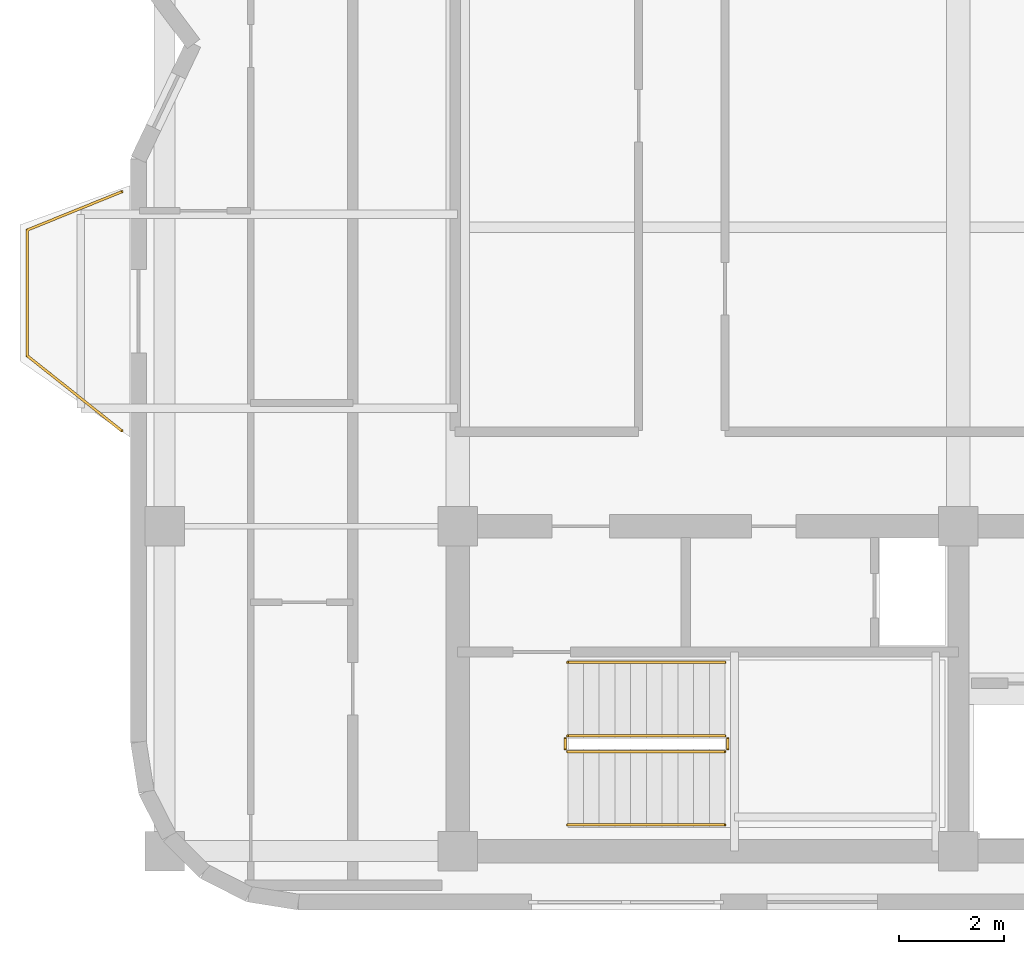
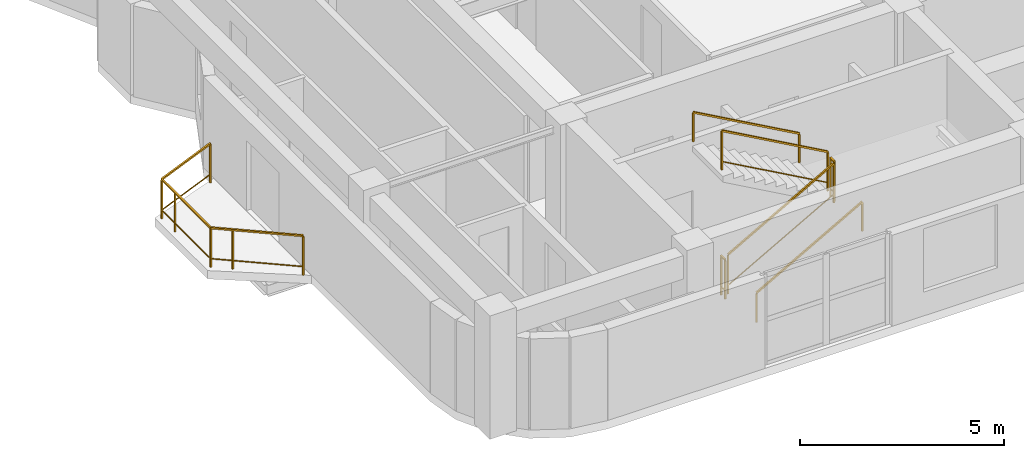
# One storey, part 10 of 11: 7 railings.
"""IFC4 building model written with IfcOpenShell, lengths in metres."""

from ifc_helpers import new_model, si_unit, direction, frame, origin, origin_2d, place, context, subcontext, project, spatial, rectangle, extrude, material, type_object, element, save


model = new_model("IFC4")

# Units and contexts
model_context = context("Model", 3, precision=1e-05, world=origin(), true_north=direction((0.0, 1.0)))
body_context = subcontext(model_context, "Body", "Model", "MODEL_VIEW")
ifc_project = project(units=[si_unit("LENGTHUNIT", "METRE"), si_unit("AREAUNIT", "SQUARE_METRE"), si_unit("VOLUMEUNIT", "CUBIC_METRE"), si_unit("PLANEANGLEUNIT", "RADIAN"), si_unit("MASSUNIT", "GRAM", prefix="KILO")], contexts=[model_context])

# Site, building, storey
site_placement = place(None, origin())
site = spatial("IfcSite", under=ifc_project, at=site_placement, CompositionType="ELEMENT")
building_placement = place(site_placement, origin())
building = spatial("IfcBuilding", under=site, at=building_placement, Name="Svetorya Sky Lyceum", CompositionType="ELEMENT")
storey_placement = place(building_placement, frame((0.0, 0.0, 275.0)))
storey = spatial("IfcBuildingStorey", under=building, at=storey_placement, Name="L69", CompositionType="ELEMENT", Elevation=275.0)

# Railings
ifc_material_1 = material(Name="Laminated safety glass and stainless AISI 316", Category="glass")
railing_type_1 = type_object("IfcRailingType", Name="RL-BAL-1200", PredefinedType="BALUSTRADE", material=ifc_material_1)
railing_1_placement = place(storey_placement, frame((19.18994140625, 18.6201171875, 0.0)))
element("IfcRailing", 1, at=railing_1_placement, inside=storey, type_object=railing_type_1, Name="L69 Balcony Balustrade BAL-W1", PredefinedType="BALUSTRADE", context=body_context, shape_type="SweptSolid", body=[
    extrude(rectangle(XDim=0.048095703125, YDim=0.048095703125, at=origin_2d()), frame((0.0, 0.0, 1.17578125), z_axis=(-0.783008919264, 0.622010476079, 0.0), x_axis=(-0.622010476079, -0.783008919264, 0.0)), (0.0, 0.0, 1.0), 2.298828125),
    extrude(rectangle(XDim=0.02392578125, YDim=0.02392578125, at=origin_2d()), frame((0.0, 0.0, 0.25), z_axis=(-0.783008919264, 0.622010476079, 0.0), x_axis=(-0.622010476079, -0.783008919264, 0.0)), (0.0, 0.0, 1.0), 2.298828125),
    extrude(rectangle(XDim=0.048095703125, YDim=0.048095703125, at=origin_2d()), frame((-1.800048828125, 1.429931640625, 1.17578125), z_axis=(0.0, 1.0, 0.0), x_axis=(-1.0, 0.0, 0.0)), (0.0, 0.0, 1.0), 2.39990234375),
    extrude(rectangle(XDim=0.02392578125, YDim=0.02392578125, at=origin_2d()), frame((-1.800048828125, 1.429931640625, 0.25), z_axis=(0.0, 1.0, 0.0), x_axis=(-1.0, 0.0, 0.0)), (0.0, 0.0, 1.0), 2.39990234375),
    extrude(rectangle(XDim=0.048095703125, YDim=0.048095703125, at=origin_2d()), frame((-1.800048828125, 3.829833984375, 1.17578125), z_axis=(0.926697865975, 0.375807218129, 0.0), x_axis=(-0.375807218129, 0.926697865975, 0.0)), (0.0, 0.0, 1.0), 1.9423828125),
    extrude(rectangle(XDim=0.02392578125, YDim=0.02392578125, at=origin_2d()), frame((-1.800048828125, 3.829833984375, 0.25), z_axis=(0.926697865975, 0.375807218129, 0.0), x_axis=(-0.375807218129, 0.926697865975, 0.0)), (0.0, 0.0, 1.0), 1.9423828125),
    extrude(rectangle(XDim=0.0419921875, YDim=0.0419921875, at=origin_2d()), origin(), (0.0, 0.0, 1.0), 1.15185546875),
    extrude(rectangle(XDim=0.0419921875, YDim=0.0419921875, at=origin_2d()), frame((-1.370361328125, 1.088623046875, 0.0)), (0.0, 0.0, 1.0), 1.15185546875),
    extrude(rectangle(XDim=0.0419921875, YDim=0.0419921875, at=origin_2d()), frame((-1.800048828125, 1.429931640625, 0.0)), (0.0, 0.0, 1.0), 1.15185546875),
    extrude(rectangle(XDim=0.0419921875, YDim=0.0419921875, at=origin_2d()), frame((-1.800048828125, 3.179931640625, 0.0)), (0.0, 0.0, 1.0), 1.15185546875),
    extrude(rectangle(XDim=0.0419921875, YDim=0.0419921875, at=origin_2d()), frame((-1.800048828125, 3.829833984375, 0.0)), (0.0, 0.0, 1.0), 1.15185546875),
    extrude(rectangle(XDim=0.0419921875, YDim=0.0419921875, at=origin_2d()), frame((0.0, 4.559814453125, 0.0)), (0.0, 0.0, 1.0), 1.15185546875),
])
ifc_material_2 = material(Name="Painted galvanized stair well guard")
railing_type_2 = type_object("IfcRailingType", Name="RL-STR-GUARD-1200", PredefinedType="GUARDRAIL", material=ifc_material_2)
railing_2_placement = place(storey_placement, frame((27.699951171875, 12.5, 0.168212890625)))
element("IfcRailing", 2, at=railing_2_placement, inside=storey, type_object=railing_type_2, Name="L69 ST-S stair guard 1", PredefinedType="GUARDRAIL", context=body_context, shape_type="SweptSolid", body=[
    extrude(rectangle(XDim=0.048095703125, YDim=0.048095703125, at=origin_2d()), frame((0.0, 0.0, 1.17578125), z_axis=(0.872272294576, 0.0, 0.489020494575), x_axis=(0.0, 1.0, 0.0)), (0.0, 0.0, 1.0), 3.439208984375),
    extrude(rectangle(XDim=0.02392578125, YDim=0.02392578125, at=origin_2d()), frame((0.0, 0.0, 0.25), z_axis=(0.872272294576, 0.0, 0.489020494575), x_axis=(0.0, 1.0, 0.0)), (0.0, 0.0, 1.0), 3.439208984375),
    extrude(rectangle(XDim=0.0419921875, YDim=0.0419921875, at=origin_2d()), origin(), (0.0, 0.0, 1.0), 1.15185546875),
    extrude(rectangle(XDim=0.0419921875, YDim=0.0419921875, at=origin_2d()), frame((3.0, 0.0, 1.681884765625)), (0.0, 0.0, 1.0), 1.15185546875),
])
railing_3_placement = place(storey_placement, frame((30.75, 12.550048828125, 1.85009765625)))
element("IfcRailing", 3, at=railing_3_placement, inside=storey, type_object=railing_type_2, Name="L69 ST-S stair guard 2", PredefinedType="GUARDRAIL", context=body_context, shape_type="SweptSolid", body=[
    extrude(rectangle(XDim=0.048095703125, YDim=0.048095703125, at=origin_2d()), frame((0.0, 0.0, 1.17578125), z_axis=(0.0, 1.0, 0.0), x_axis=(-1.0, 0.0, 0.0)), (0.0, 0.0, 1.0), 0.199951171875),
    extrude(rectangle(XDim=0.02392578125, YDim=0.02392578125, at=origin_2d()), frame((0.0, 0.0, 0.25), z_axis=(0.0, 1.0, 0.0), x_axis=(-1.0, 0.0, 0.0)), (0.0, 0.0, 1.0), 0.199951171875),
    extrude(rectangle(XDim=0.0419921875, YDim=0.0419921875, at=origin_2d()), origin(), (0.0, 0.0, 1.0), 1.15185546875),
    extrude(rectangle(XDim=0.0419921875, YDim=0.0419921875, at=origin_2d()), frame((0.0, 0.199951171875, 0.0)), (0.0, 0.0, 1.0), 1.15185546875),
])
railing_4_placement = place(storey_placement, frame((30.699951171875, 12.800048828125, 2.01806640625)))
element("IfcRailing", 4, at=railing_4_placement, inside=storey, type_object=railing_type_2, Name="L69 ST-S stair guard 3", PredefinedType="GUARDRAIL", context=body_context, shape_type="SweptSolid", body=[
    extrude(rectangle(XDim=0.048095703125, YDim=0.048095703125, at=origin_2d()), frame((0.0, 0.0, 1.17578125), z_axis=(-0.872272294576, 0.0, 0.489020494575), x_axis=(0.0, -1.0, 0.0)), (0.0, 0.0, 1.0), 3.439208984375),
    extrude(rectangle(XDim=0.02392578125, YDim=0.02392578125, at=origin_2d()), frame((0.0, 0.0, 0.25), z_axis=(-0.872272294576, 0.0, 0.489020494575), x_axis=(0.0, -1.0, 0.0)), (0.0, 0.0, 1.0), 3.439208984375),
    extrude(rectangle(XDim=0.0419921875, YDim=0.0419921875, at=origin_2d()), origin(), (0.0, 0.0, 1.0), 1.15185546875),
    extrude(rectangle(XDim=0.0419921875, YDim=0.0419921875, at=origin_2d()), frame((-3.0, 0.0, 1.681884765625)), (0.0, 0.0, 1.0), 1.15185546875),
])
railing_5_placement = place(storey_placement, frame((27.64990234375, 12.550048828125, 0.0)))
element("IfcRailing", 5, at=railing_5_placement, inside=storey, type_object=railing_type_2, Name="L69 ST-S stair guard 4", PredefinedType="GUARDRAIL", context=body_context, shape_type="SweptSolid", body=[
    extrude(rectangle(XDim=0.048095703125, YDim=0.048095703125, at=origin_2d()), frame((0.0, 0.0, 1.17578125), z_axis=(0.0, 1.0, 0.0), x_axis=(-1.0, 0.0, 0.0)), (0.0, 0.0, 1.0), 0.199951171875),
    extrude(rectangle(XDim=0.02392578125, YDim=0.02392578125, at=origin_2d()), frame((0.0, 0.0, 0.25), z_axis=(0.0, 1.0, 0.0), x_axis=(-1.0, 0.0, 0.0)), (0.0, 0.0, 1.0), 0.199951171875),
    extrude(rectangle(XDim=0.0419921875, YDim=0.0419921875, at=origin_2d()), origin(), (0.0, 0.0, 1.0), 1.15185546875),
    extrude(rectangle(XDim=0.0419921875, YDim=0.0419921875, at=origin_2d()), frame((0.0, 0.199951171875, 0.0)), (0.0, 0.0, 1.0), 1.15185546875),
])
ifc_material_3 = material(Name="Brushed stainless AISI 304 stair handrail")
railing_type_3 = type_object("IfcRailingType", Name="RL-STR-HAND-920", PredefinedType="HANDRAIL", material=ifc_material_3)
railing_6_placement = place(storey_placement, frame((27.699951171875, 11.10009765625, 0.168212890625)))
element("IfcRailing", 6, at=railing_6_placement, inside=storey, type_object=railing_type_3, Name="L69 ST-S stair handrail 1", PredefinedType="HANDRAIL", context=body_context, shape_type="SweptSolid", body=[
    extrude(rectangle(XDim=0.048095703125, YDim=0.048095703125, at=origin_2d()), frame((0.0, 0.0, 0.8759765625), z_axis=(0.872272294576, 0.0, 0.489020494575), x_axis=(0.0, 1.0, 0.0)), (0.0, 0.0, 1.0), 3.439208984375),
    extrude(rectangle(XDim=0.0419921875, YDim=0.0419921875, at=origin_2d()), origin(), (0.0, 0.0, 1.0), 0.851806640625),
    extrude(rectangle(XDim=0.0419921875, YDim=0.0419921875, at=origin_2d()), frame((3.0, 0.0, 1.681884765625)), (0.0, 0.0, 1.0), 0.851806640625),
])
railing_7_placement = place(storey_placement, frame((30.699951171875, 14.199951171875, 2.01806640625)))
element("IfcRailing", 7, at=railing_7_placement, inside=storey, type_object=railing_type_3, Name="L69 ST-S stair handrail 2", PredefinedType="HANDRAIL", context=body_context, shape_type="SweptSolid", body=[
    extrude(rectangle(XDim=0.048095703125, YDim=0.048095703125, at=origin_2d()), frame((0.0, 0.0, 0.8759765625), z_axis=(-0.872272294576, 0.0, 0.489020494575), x_axis=(0.0, -1.0, 0.0)), (0.0, 0.0, 1.0), 3.439208984375),
    extrude(rectangle(XDim=0.0419921875, YDim=0.0419921875, at=origin_2d()), origin(), (0.0, 0.0, 1.0), 0.851806640625),
    extrude(rectangle(XDim=0.0419921875, YDim=0.0419921875, at=origin_2d()), frame((-3.0, 0.0, 1.681884765625)), (0.0, 0.0, 1.0), 0.851806640625),
])

save(model, "model.ifc")
